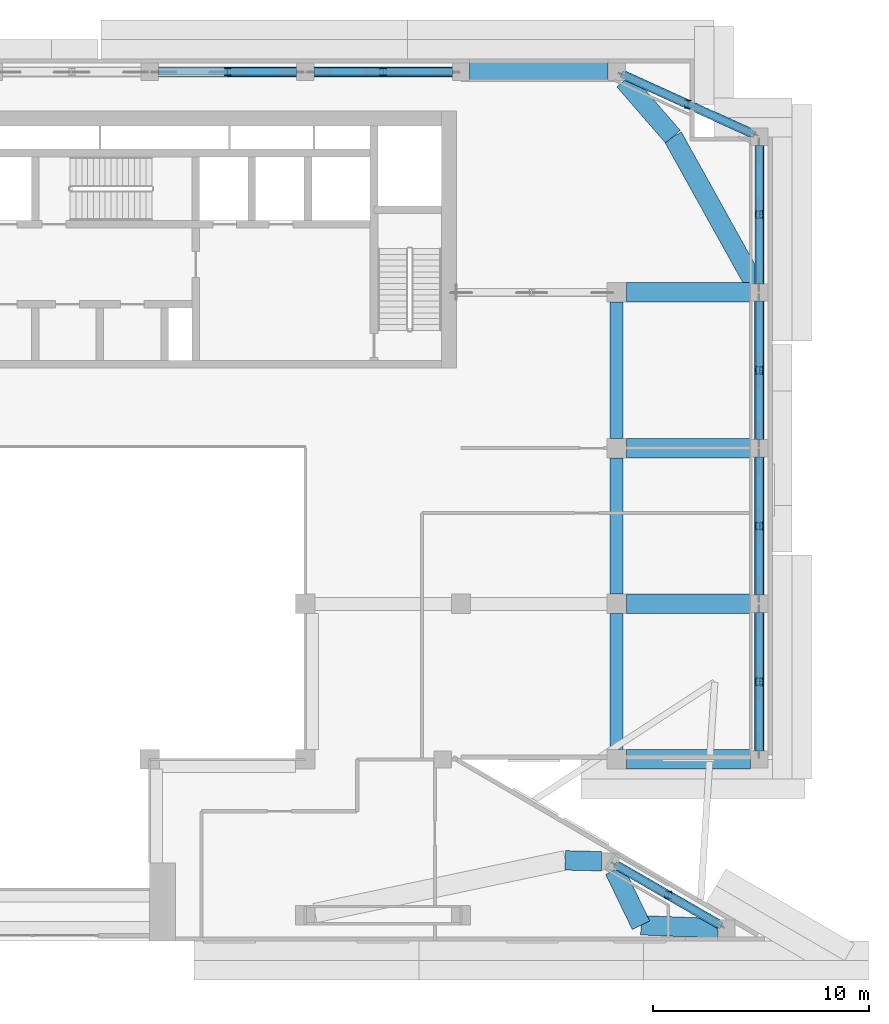
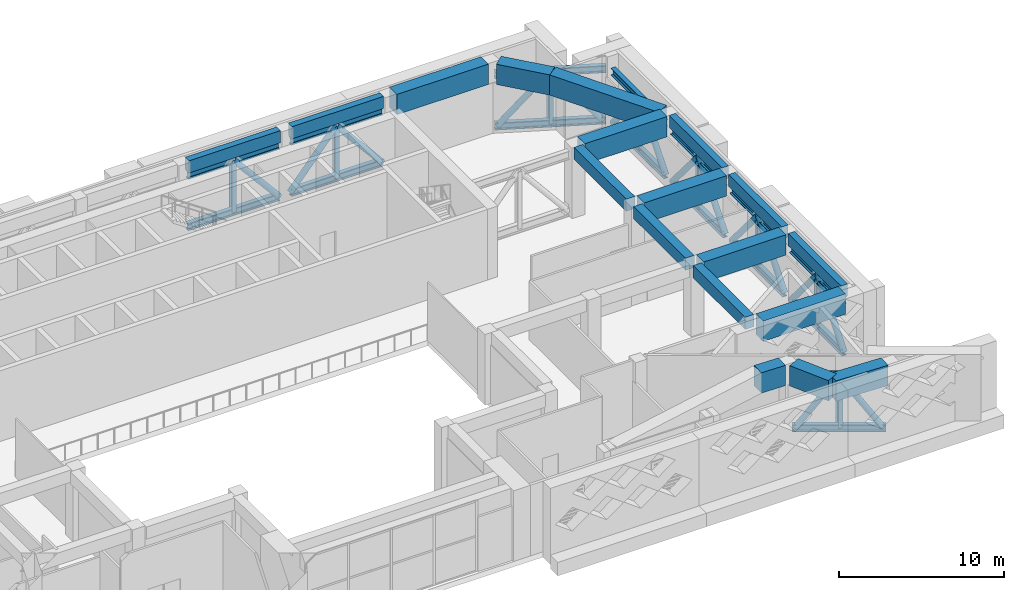
# One storey, part 7 of 20: 39 members, 18 beams.
"""IFC4 building model written with IfcOpenShell, lengths in metres."""

from ifc_helpers import new_model, si_unit, direction, frame, origin, origin_2d, place, context, subcontext, project, spatial, rectangle, hollow_circle, i_section, extrude, source, transform, mapped, material, material_profile, profile_set, type_object, element, save


model = new_model("IFC4")

# Units and contexts
model_context = context("Model", 3, precision=1e-05, world=origin(), true_north=direction((0.0, 1.0)))
body_context = subcontext(model_context, "Body", "Model", "MODEL_VIEW")
ifc_project = project(units=[si_unit("LENGTHUNIT", "METRE"), si_unit("AREAUNIT", "SQUARE_METRE"), si_unit("VOLUMEUNIT", "CUBIC_METRE"), si_unit("PLANEANGLEUNIT", "RADIAN"), si_unit("MASSUNIT", "GRAM", prefix="KILO")], contexts=[model_context])

# Site, building, storey
site_placement = place(None, origin())
site = spatial("IfcSite", under=ifc_project, at=site_placement, CompositionType="ELEMENT")
building_placement = place(site_placement, origin())
building = spatial("IfcBuilding", under=site, at=building_placement, Name="Saffron Iwan Residences", CompositionType="ELEMENT")
storey_placement = place(building_placement, frame((0.0, 0.0, 206.0)))
storey = spatial("IfcBuildingStorey", under=building, at=storey_placement, Name="L55", CompositionType="ELEMENT", Elevation=206.0)

# Beams
ifc_material_1 = material(Name="Concrete C50/60", Category="concrete")
ifc_material_profile_1 = material_profile(ifc_material_1, rectangle(XDim=0.449951171875, YDim=0.89990234375, at=origin_2d()), Name="RC 450x900")
ifc_profile_set_1 = profile_set([ifc_material_profile_1], Name="Concrete C50/60")
beam_type_1 = type_object("IfcBeamType", Name="SPANDREL BEAM RC 450x900 C50/60 TOP 5220", PredefinedType="SPANDREL", material=ifc_profile_set_1)
shared_shape_1 = source(origin(), body_context, "Body", "SweptSolid", [
    extrude(rectangle(XDim=0.449951171875, YDim=0.89990234375, at=origin_2d()), origin(), (0.0, 0.0, 1.0), 6.400146484375),
])
for number, where, z_axis, x_axis, name in (
    (1, (85.800048828125, 54.800048828125, 4.77001953125), (0.0, -1.0, 0.0), (1.0, 0.0, 0.0), "Spandrel beam"),
    (2, (65.199951171875, 79.800048828125, 4.77001953125), (1.0, 0.0, 0.0), (0.0, 1.0, 0.0), "Spandrel beam"),
):
    element("IfcBeam", number, at=place(storey_placement, frame(where, z_axis=z_axis, x_axis=x_axis)), inside=storey, type_object=beam_type_1, Name=name, PredefinedType="SPANDREL", context=body_context, shape_type="MappedRepresentation", body=[
        mapped(shared_shape_1, transform((0.0, 0.0, 0.0))),
    ])
shared_shape_2 = source(origin(), body_context, "Body", "SweptSolid", [
    extrude(rectangle(XDim=0.449951171875, YDim=0.89990234375, at=origin_2d()), origin(), (0.0, 0.0, 1.0), 6.39990234375),
])
for number, where, z_axis, x_axis, name in (
    (3, (85.800048828125, 62.0, 4.77001953125), (0.0, -1.0, 0.0), (1.0, 0.0, 0.0), "Spandrel beam"),
    (4, (85.800048828125, 69.199951171875, 4.77001953125), (0.0, -1.0, 0.0), (1.0, 0.0, 0.0), "Spandrel beam"),
    (5, (58.0, 79.800048828125, 4.77001953125), (1.0, 0.0, 0.0), (0.0, 1.0, 0.0), "Spandrel beam"),
):
    element("IfcBeam", number, at=place(storey_placement, frame(where, z_axis=z_axis, x_axis=x_axis)), inside=storey, type_object=beam_type_1, Name=name, PredefinedType="SPANDREL", context=body_context, shape_type="MappedRepresentation", body=[
        mapped(shared_shape_2, transform((0.0, 0.0, 0.0))),
    ])
ifc_material_profile_2 = material_profile(ifc_material_1, rectangle(XDim=0.60009765625, YDim=0.89990234375, at=origin_2d()), Name="RC 600x900")
ifc_profile_set_2 = profile_set([ifc_material_profile_2], Name="Concrete C50/60")
beam_type_2 = type_object("IfcBeamType", Name="BEAM RC 600x900 C50/60 TOP 5220", PredefinedType="BEAM", material=ifc_profile_set_2)
shared_shape_3 = source(origin(), body_context, "Body", "SweptSolid", [
    extrude(rectangle(XDim=0.60009765625, YDim=0.89990234375, at=origin_2d()), origin(), (0.0, 0.0, 1.0), 6.300048828125),
])
for number, where, z_axis, x_axis, name in (
    (6, (79.199951171875, 48.449951171875, 4.77001953125), (0.0, 1.0, 0.0), (-1.0, 0.0, 0.0), "Floor beam"),
    (7, (79.199951171875, 55.64990234375, 4.77001953125), (0.0, 1.0, 0.0), (-1.0, 0.0, 0.0), "Floor beam"),
):
    element("IfcBeam", number, at=place(storey_placement, frame(where, z_axis=z_axis, x_axis=x_axis)), inside=storey, type_object=beam_type_2, Name=name, PredefinedType="BEAM", context=body_context, shape_type="MappedRepresentation", body=[
        mapped(shared_shape_3, transform((0.0, 0.0, 0.0))),
    ])
shared_shape_4 = source(origin(), body_context, "Body", "SweptSolid", [
    extrude(rectangle(XDim=0.60009765625, YDim=0.89990234375, at=origin_2d()), origin(), (0.0, 0.0, 1.0), 6.2998046875),
])
beam_1_placement = place(storey_placement, frame((79.199951171875, 62.85009765625, 4.77001953125), z_axis=(0.0, 1.0, 0.0), x_axis=(-1.0, 0.0, 0.0)))
element("IfcBeam", 8, at=beam_1_placement, inside=storey, type_object=beam_type_2, Name="Floor beam", PredefinedType="BEAM", context=body_context, shape_type="MappedRepresentation", body=[
    mapped(shared_shape_4, transform((0.0, 0.0, 0.0))),
])
ifc_material_profile_3 = material_profile(ifc_material_1, rectangle(XDim=0.89990234375, YDim=1.5, at=origin_2d()), Name="RC 900x1500")
ifc_profile_set_3 = profile_set([ifc_material_profile_3], Name="Concrete C50/60")
beam_type_3 = type_object("IfcBeamType", Name="TRANSFER GIRDER RC 900x1500 C50/60 TOP 5220", PredefinedType="BEAM", material=ifc_profile_set_3)
shared_shape_5 = source(origin(), body_context, "Body", "SweptSolid", [
    extrude(rectangle(XDim=0.89990234375, YDim=1.5, at=origin_2d()), origin(), (0.0, 0.0, 1.0), 2.831787109375),
])
beam_2_placement = place(storey_placement, frame((79.09130859375, 42.881591796875, 4.469970703125), z_axis=(0.435901175811, -0.899994536054, 0.0), x_axis=(0.899994536054, 0.435901175811, 0.0)))
element("IfcBeam", 9, at=beam_2_placement, inside=storey, type_object=beam_type_3, Name="Transfer girder", PredefinedType="BEAM", context=body_context, shape_type="MappedRepresentation", body=[
    mapped(shared_shape_5, transform((0.0, 0.0, 0.0))),
])
shared_shape_6 = source(origin(), body_context, "Body", "SweptSolid", [
    extrude(rectangle(XDim=0.89990234375, YDim=1.5, at=origin_2d()), origin(), (0.0, 0.0, 1.0), 3.553466796875),
])
beam_3_placement = place(storey_placement, frame((83.876220703125, 40.190185546875, 4.469970703125), z_axis=(-0.999191933557, 0.040193033152, 0.0), x_axis=(-0.040193033152, -0.999191933557, 0.0)))
element("IfcBeam", 10, at=beam_3_placement, inside=storey, type_object=beam_type_3, Name="Transfer girder", PredefinedType="BEAM", context=body_context, shape_type="MappedRepresentation", body=[
    mapped(shared_shape_6, transform((0.0, 0.0, 0.0))),
])
shared_shape_7 = source(origin(), body_context, "Body", "SweptSolid", [
    extrude(rectangle(XDim=0.89990234375, YDim=1.5, at=origin_2d()), origin(), (0.0, 0.0, 1.0), 1.67529296875),
])
beam_4_placement = place(storey_placement, frame((78.497802734375, 43.29150390625, 4.469970703125), z_axis=(-0.99968946421, 0.024919372942, 0.0), x_axis=(-0.024919372942, -0.99968946421, 0.0)))
element("IfcBeam", 11, at=beam_4_placement, inside=storey, type_object=beam_type_3, Name="Transfer girder", PredefinedType="BEAM", context=body_context, shape_type="MappedRepresentation", body=[
    mapped(shared_shape_7, transform((0.0, 0.0, 0.0))),
])
shared_shape_8 = source(origin(), body_context, "Body", "SweptSolid", [
    extrude(rectangle(XDim=0.89990234375, YDim=1.5, at=origin_2d()), origin(), (0.0, 0.0, 1.0), 5.75),
])
for number, where, z_axis, x_axis, name in (
    (12, (79.64990234375, 48.0, 4.469970703125), (1.0, 0.0, 0.0), (0.0, 1.0, 0.0), "Transfer girder"),
    (13, (79.64990234375, 55.199951171875, 4.469970703125), (1.0, 0.0, 0.0), (0.0, 1.0, 0.0), "Transfer girder"),
    (14, (79.64990234375, 62.39990234375, 4.469970703125), (1.0, 0.0, 0.0), (0.0, 1.0, 0.0), "Transfer girder"),
    (15, (79.64990234375, 69.60009765625, 4.469970703125), (1.0, 0.0, 0.0), (0.0, 1.0, 0.0), "Transfer girder"),
):
    element("IfcBeam", number, at=place(storey_placement, frame(where, z_axis=z_axis, x_axis=x_axis)), inside=storey, type_object=beam_type_3, Name=name, PredefinedType="BEAM", context=body_context, shape_type="MappedRepresentation", body=[
        mapped(shared_shape_8, transform((0.0, 0.0, 0.0))),
    ])
shared_shape_9 = source(origin(), body_context, "Body", "SweptSolid", [
    extrude(rectangle(XDim=0.89990234375, YDim=1.5, at=origin_2d()), origin(), (0.0, 0.0, 1.0), 3.4404296875),
])
beam_5_placement = place(storey_placement, frame((79.546630859375, 79.39990234375, 4.469970703125), z_axis=(0.654965657768, -0.755658644591, 0.0), x_axis=(0.755658644591, 0.654965657768, 0.0)))
element("IfcBeam", 16, at=beam_5_placement, inside=storey, type_object=beam_type_3, Name="Transfer girder", PredefinedType="BEAM", context=body_context, shape_type="MappedRepresentation", body=[
    mapped(shared_shape_9, transform((0.0, 0.0, 0.0))),
])
shared_shape_10 = source(origin(), body_context, "Body", "SweptSolid", [
    extrude(rectangle(XDim=0.89990234375, YDim=1.5, at=origin_2d()), origin(), (0.0, 0.0, 1.0), 7.779052734375),
])
beam_6_placement = place(storey_placement, frame((85.577880859375, 70.0, 4.469970703125), z_axis=(-0.485645595908, 0.874155795711, 0.0), x_axis=(-0.874155795711, -0.485645595908, 0.0)))
element("IfcBeam", 17, at=beam_6_placement, inside=storey, type_object=beam_type_3, Name="Transfer girder", PredefinedType="BEAM", context=body_context, shape_type="MappedRepresentation", body=[
    mapped(shared_shape_10, transform((0.0, 0.0, 0.0))),
])
shared_shape_11 = source(origin(), body_context, "Body", "SweptSolid", [
    extrude(rectangle(XDim=0.89990234375, YDim=1.5, at=origin_2d()), origin(), (0.0, 0.0, 1.0), 6.400146484375),
])
beam_7_placement = place(storey_placement, frame((78.800048828125, 79.800048828125, 4.469970703125), z_axis=(-1.0, 0.0, 0.0), x_axis=(0.0, -1.0, 0.0)))
element("IfcBeam", 18, at=beam_7_placement, inside=storey, type_object=beam_type_3, Name="Transfer girder", PredefinedType="BEAM", context=body_context, shape_type="MappedRepresentation", body=[
    mapped(shared_shape_11, transform((0.0, 0.0, 0.0))),
])

# Members
ifc_material_2 = material(Name="Steel S355", Category="steel")
ifc_material_profile_4 = material_profile(ifc_material_2, i_section(OverallWidth=0.305908203125, OverallDepth=0.52392578125, WebThickness=0.02099609375, FlangeThickness=0.0400390625, FilletRadius=0.027099609375, at=origin_2d()), Name="HE 500 M")
ifc_profile_set_4 = profile_set([ifc_material_profile_4], Name="Steel S355")
member_type_1 = type_object("IfcMemberType", Name="BELT TRUSS CHORD HE 500 M S355", PredefinedType="CHORD", material=ifc_profile_set_4)
shared_shape_12 = source(origin(), body_context, "Body", "SweptSolid", [
    extrude(i_section(OverallWidth=0.305908203125, OverallDepth=0.52392578125, WebThickness=0.02099609375, FlangeThickness=0.0400390625, FilletRadius=0.027099609375, at=origin_2d()), origin(), (0.0, 0.0, 1.0), 6.400146484375),
])
for number, where, z_axis, x_axis, name in (
    (19, (65.199951171875, 79.800048828125, 0.261962890625), (1.0, 0.0, 0.0), (0.0, 1.0, 0.0), "Belt truss chord L55"),
    (20, (65.199951171875, 79.800048828125, 4.05810546875), (1.0, 0.0, 0.0), (0.0, 1.0, 0.0), "Belt truss chord L55"),
    (21, (85.800048828125, 54.800048828125, 0.261962890625), (0.0, -1.0, 0.0), (1.0, 0.0, 0.0), "Belt truss chord L55"),
    (22, (85.800048828125, 54.800048828125, 4.05810546875), (0.0, -1.0, 0.0), (1.0, 0.0, 0.0), "Belt truss chord L55"),
):
    element("IfcMember", number, at=place(storey_placement, frame(where, z_axis=z_axis, x_axis=x_axis)), inside=storey, type_object=member_type_1, Name=name, PredefinedType="CHORD", context=body_context, shape_type="MappedRepresentation", body=[
        mapped(shared_shape_12, transform((0.0, 0.0, 0.0))),
    ])
ifc_material_profile_5 = material_profile(ifc_material_2, hollow_circle(Radius=0.203125, WallThickness=0.01611328125, at=origin_2d()), Name="CHS 406.4x16")
ifc_profile_set_5 = profile_set([ifc_material_profile_5], Name="Steel S355")
member_type_2 = type_object("IfcMemberType", Name="BELT TRUSS DIAGONAL CHS 406.4x16 S355", PredefinedType="BRACE", material=ifc_profile_set_5)
shared_shape_13 = source(origin(), body_context, "Body", "SweptSolid", [
    extrude(hollow_circle(Radius=0.203125, WallThickness=0.01611328125, at=origin_2d()), origin(), (0.0, 0.0, 1.0), 4.965087890625),
])
for number, where, z_axis, x_axis, name in (
    (23, (68.39990234375, 79.800048828125, 4.05810546875), (0.64454146038, 0.0, -0.764569359738), (0.0, 1.0, 0.0), "Belt truss diagonal L55"),
    (24, (85.800048828125, 51.60009765625, 4.05810546875), (0.0, -0.64454146038, -0.764569359738), (1.0, 0.0, 0.0), "Belt truss diagonal L55"),
):
    element("IfcMember", number, at=place(storey_placement, frame(where, z_axis=z_axis, x_axis=x_axis)), inside=storey, type_object=member_type_2, Name=name, PredefinedType="BRACE", context=body_context, shape_type="MappedRepresentation", body=[
        mapped(shared_shape_13, transform((0.0, 0.0, 0.0))),
    ])
shared_shape_14 = source(origin(), body_context, "Body", "SweptSolid", [
    extrude(hollow_circle(Radius=0.203125, WallThickness=0.01611328125, at=origin_2d()), origin(), (0.0, 0.0, 1.0), 4.96484375),
])
for number, where, z_axis, x_axis, name in (
    (25, (61.199951171875, 79.800048828125, 4.05810546875), (0.644512714947, 0.0, -0.764593591571), (0.0, 1.0, 0.0), "Belt truss diagonal L55"),
    (26, (65.199951171875, 79.800048828125, 0.261962890625), (0.644512714947, 0.0, 0.764593591571), (0.0, 1.0, 0.0), "Belt truss diagonal L55"),
    (27, (85.800048828125, 76.39990234375, 0.261962890625), (0.0, -0.644512714947, 0.764593591571), (1.0, 0.0, 0.0), "Belt truss diagonal L55"),
    (28, (85.800048828125, 73.199951171875, 4.05810546875), (0.0, -0.644512714947, -0.764593591571), (1.0, 0.0, 0.0), "Belt truss diagonal L55"),
    (29, (85.800048828125, 69.199951171875, 0.261962890625), (0.0, -0.644512714947, 0.764593591571), (1.0, 0.0, 0.0), "Belt truss diagonal L55"),
    (30, (85.800048828125, 66.0, 4.05810546875), (0.0, -0.644512714947, -0.764593591571), (1.0, 0.0, 0.0), "Belt truss diagonal L55"),
    (31, (85.800048828125, 62.0, 0.261962890625), (0.0, -0.644512714947, 0.764593591571), (1.0, 0.0, 0.0), "Belt truss diagonal L55"),
    (32, (85.800048828125, 58.800048828125, 4.05810546875), (0.0, -0.644512714947, -0.764593591571), (1.0, 0.0, 0.0), "Belt truss diagonal L55"),
    (33, (85.800048828125, 54.800048828125, 0.261962890625), (0.0, -0.644512714947, 0.764593591571), (1.0, 0.0, 0.0), "Belt truss diagonal L55"),
):
    element("IfcMember", number, at=place(storey_placement, frame(where, z_axis=z_axis, x_axis=x_axis)), inside=storey, type_object=member_type_2, Name=name, PredefinedType="BRACE", context=body_context, shape_type="MappedRepresentation", body=[
        mapped(shared_shape_14, transform((0.0, 0.0, 0.0))),
    ])
ifc_material_profile_6 = material_profile(ifc_material_2, i_section(OverallWidth=0.300048828125, OverallDepth=0.360107421875, WebThickness=0.012451171875, FlangeThickness=0.0224609375, FilletRadius=0.027099609375, at=origin_2d()), Name="HE 360 B")
ifc_profile_set_6 = profile_set([ifc_material_profile_6], Name="Steel S355")
member_type_3 = type_object("IfcMemberType", Name="BELT TRUSS POST HE 360 B S355", PredefinedType="POST", material=ifc_profile_set_6)
shared_shape_15 = source(origin(), body_context, "Body", "SweptSolid", [
    extrude(i_section(OverallWidth=0.300048828125, OverallDepth=0.360107421875, WebThickness=0.012451171875, FlangeThickness=0.0224609375, FilletRadius=0.027099609375, at=origin_2d()), origin(), (0.0, 0.0, 1.0), 3.796142578125),
])
for number, where, z_axis, x_axis, name in (
    (34, (61.199951171875, 79.800048828125, 0.261962890625), (0.0, 0.0, 1.0), (1.0, 0.0, 0.0), "Belt truss post L55"),
    (35, (68.39990234375, 79.800048828125, 0.261962890625), (0.0, 0.0, 1.0), (1.0, 0.0, 0.0), "Belt truss post L55"),
    (36, (82.5, 78.300048828125, 0.261962890625), (0.0, 0.0, 1.0), (1.0, 0.0, 0.0), "Belt truss post L55"),
    (37, (85.800048828125, 73.199951171875, 0.261962890625), (0.0, 0.0, 1.0), (1.0, 0.0, 0.0), "Belt truss post L55"),
    (38, (85.800048828125, 66.0, 0.261962890625), (0.0, 0.0, 1.0), (1.0, 0.0, 0.0), "Belt truss post L55"),
    (39, (85.800048828125, 58.800048828125, 0.261962890625), (0.0, 0.0, 1.0), (1.0, 0.0, 0.0), "Belt truss post L55"),
    (40, (85.800048828125, 51.60009765625, 0.261962890625), (0.0, 0.0, 1.0), (1.0, 0.0, 0.0), "Belt truss post L55"),
    (41, (81.5869140625, 41.727783203125, 0.261962890625), (0.0, 0.0, 1.0), (1.0, 0.0, 0.0), "Belt truss post L55"),
):
    element("IfcMember", number, at=place(storey_placement, frame(where, z_axis=z_axis, x_axis=x_axis)), inside=storey, type_object=member_type_3, Name=name, PredefinedType="POST", context=body_context, shape_type="MappedRepresentation", body=[
        mapped(shared_shape_15, transform((0.0, 0.0, 0.0))),
    ])
shared_shape_16 = source(origin(), body_context, "Body", "SweptSolid", [
    extrude(i_section(OverallWidth=0.305908203125, OverallDepth=0.52392578125, WebThickness=0.02099609375, FlangeThickness=0.0400390625, FilletRadius=0.027099609375, at=origin_2d()), origin(), (0.0, 0.0, 1.0), 6.39990234375),
])
for number, where, z_axis, x_axis, name in (
    (42, (58.0, 79.800048828125, 0.261962890625), (1.0, 0.0, 0.0), (0.0, 1.0, 0.0), "Belt truss chord L55"),
    (43, (58.0, 79.800048828125, 4.05810546875), (1.0, 0.0, 0.0), (0.0, 1.0, 0.0), "Belt truss chord L55"),
    (44, (85.800048828125, 76.39990234375, 0.261962890625), (0.0, -1.0, 0.0), (1.0, 0.0, 0.0), "Belt truss chord L55"),
    (45, (85.800048828125, 76.39990234375, 4.05810546875), (0.0, -1.0, 0.0), (1.0, 0.0, 0.0), "Belt truss chord L55"),
    (46, (85.800048828125, 69.199951171875, 0.261962890625), (0.0, -1.0, 0.0), (1.0, 0.0, 0.0), "Belt truss chord L55"),
    (47, (85.800048828125, 69.199951171875, 4.05810546875), (0.0, -1.0, 0.0), (1.0, 0.0, 0.0), "Belt truss chord L55"),
    (48, (85.800048828125, 62.0, 0.261962890625), (0.0, -1.0, 0.0), (1.0, 0.0, 0.0), "Belt truss chord L55"),
    (49, (85.800048828125, 62.0, 4.05810546875), (0.0, -1.0, 0.0), (1.0, 0.0, 0.0), "Belt truss chord L55"),
):
    element("IfcMember", number, at=place(storey_placement, frame(where, z_axis=z_axis, x_axis=x_axis)), inside=storey, type_object=member_type_1, Name=name, PredefinedType="CHORD", context=body_context, shape_type="MappedRepresentation", body=[
        mapped(shared_shape_16, transform((0.0, 0.0, 0.0))),
    ])
shared_shape_17 = source(origin(), body_context, "Body", "SweptSolid", [
    extrude(hollow_circle(Radius=0.203125, WallThickness=0.01611328125, at=origin_2d()), origin(), (0.0, 0.0, 1.0), 4.95556640625),
])
for number, where, z_axis, x_axis, name in (
    (50, (79.60009765625, 79.6181640625, 0.261962890625), (0.585181741978, -0.26598722217, 0.766037287929), (0.413797169798, 0.910369102215, 0.0), "Belt truss diagonal L55"),
    (51, (82.5, 78.300048828125, 4.05810546875), (0.585174073121, -0.266033001755, -0.766027248944), (0.413860686588, 0.910340228759, 0.0), "Belt truss diagonal L55"),
):
    element("IfcMember", number, at=place(storey_placement, frame(where, z_axis=z_axis, x_axis=x_axis)), inside=storey, type_object=member_type_2, Name=name, PredefinedType="BRACE", context=body_context, shape_type="MappedRepresentation", body=[
        mapped(shared_shape_17, transform((0.0, 0.0, 0.0))),
    ])
shared_shape_18 = source(origin(), body_context, "Body", "SweptSolid", [
    extrude(i_section(OverallWidth=0.305908203125, OverallDepth=0.52392578125, WebThickness=0.02099609375, FlangeThickness=0.0400390625, FilletRadius=0.027099609375, at=origin_2d()), origin(), (0.0, 0.0, 1.0), 6.77685546875),
])
for number, where, z_axis, x_axis, name in (
    (52, (79.415283203125, 79.7021484375, 0.261962890625), (0.910357841076, -0.413821943824, 0.0), (0.413821943824, 0.910357841076, 0.0), "Belt truss chord L55"),
    (53, (79.415283203125, 79.7021484375, 4.05810546875), (0.910357841076, -0.413821943824, 0.0), (0.413821943824, 0.910357841076, 0.0), "Belt truss chord L55"),
):
    element("IfcMember", number, at=place(storey_placement, frame(where, z_axis=z_axis, x_axis=x_axis)), inside=storey, type_object=member_type_1, Name=name, PredefinedType="CHORD", context=body_context, shape_type="MappedRepresentation", body=[
        mapped(shared_shape_18, transform((0.0, 0.0, 0.0))),
    ])
shared_shape_19 = source(origin(), body_context, "Body", "SweptSolid", [
    extrude(i_section(OverallWidth=0.305908203125, OverallDepth=0.52392578125, WebThickness=0.02099609375, FlangeThickness=0.0400390625, FilletRadius=0.027099609375, at=origin_2d()), origin(), (0.0, 0.0, 1.0), 5.69384765625),
])
for number, where, z_axis, x_axis, name in (
    (54, (79.121826171875, 43.152099609375, 0.261962890625), (0.865877042624, -0.500256881068, 0.0), (0.500256881068, 0.865877042624, 0.0), "Belt truss chord L55"),
    (55, (79.121826171875, 43.152099609375, 4.05810546875), (0.865877042624, -0.500256881068, 0.0), (0.500256881068, 0.865877042624, 0.0), "Belt truss chord L55"),
):
    element("IfcMember", number, at=place(storey_placement, frame(where, z_axis=z_axis, x_axis=x_axis)), inside=storey, type_object=member_type_1, Name=name, PredefinedType="CHORD", context=body_context, shape_type="MappedRepresentation", body=[
        mapped(shared_shape_19, transform((0.0, 0.0, 0.0))),
    ])
shared_shape_20 = source(origin(), body_context, "Body", "SweptSolid", [
    extrude(hollow_circle(Radius=0.203125, WallThickness=0.01611328125, at=origin_2d()), origin(), (0.0, 0.0, 1.0), 4.626220703125),
])
member_1_placement = place(storey_placement, frame((79.297607421875, 43.050537109375, 0.261962890625), z_axis=(0.494861739895, -0.285929498427, 0.82058282965), x_axis=(0.500289905064, 0.865857962308, 0.0)))
element("IfcMember", 56, at=member_1_placement, inside=storey, type_object=member_type_2, Name="Belt truss diagonal L55", PredefinedType="BRACE", context=body_context, shape_type="MappedRepresentation", body=[
    mapped(shared_shape_20, transform((0.0, 0.0, 0.0))),
])
shared_shape_21 = source(origin(), body_context, "Body", "SweptSolid", [
    extrude(hollow_circle(Radius=0.203125, WallThickness=0.01611328125, at=origin_2d()), origin(), (0.0, 0.0, 1.0), 4.6259765625),
])
member_2_placement = place(storey_placement, frame((81.5869140625, 41.727783203125, 4.05810546875), z_axis=(0.494869206661, -0.28588103791, -0.820595211089), x_axis=(0.500220673181, 0.865897960572, 0.0)))
element("IfcMember", 57, at=member_2_placement, inside=storey, type_object=member_type_2, Name="Belt truss diagonal L55", PredefinedType="BRACE", context=body_context, shape_type="MappedRepresentation", body=[
    mapped(shared_shape_21, transform((0.0, 0.0, 0.0))),
])

save(model, "model.ifc")
